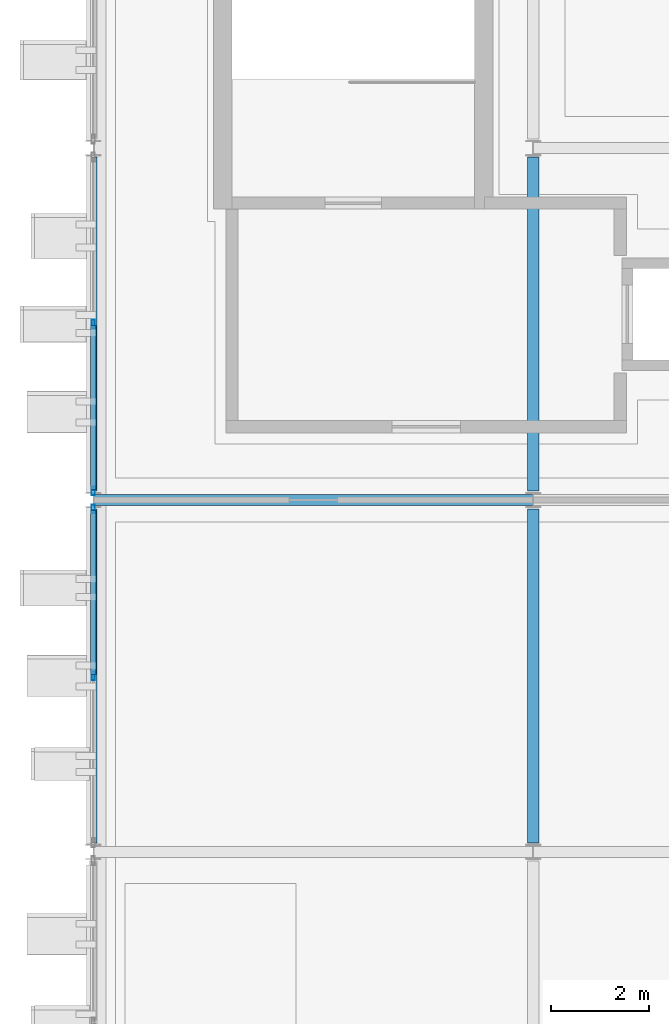
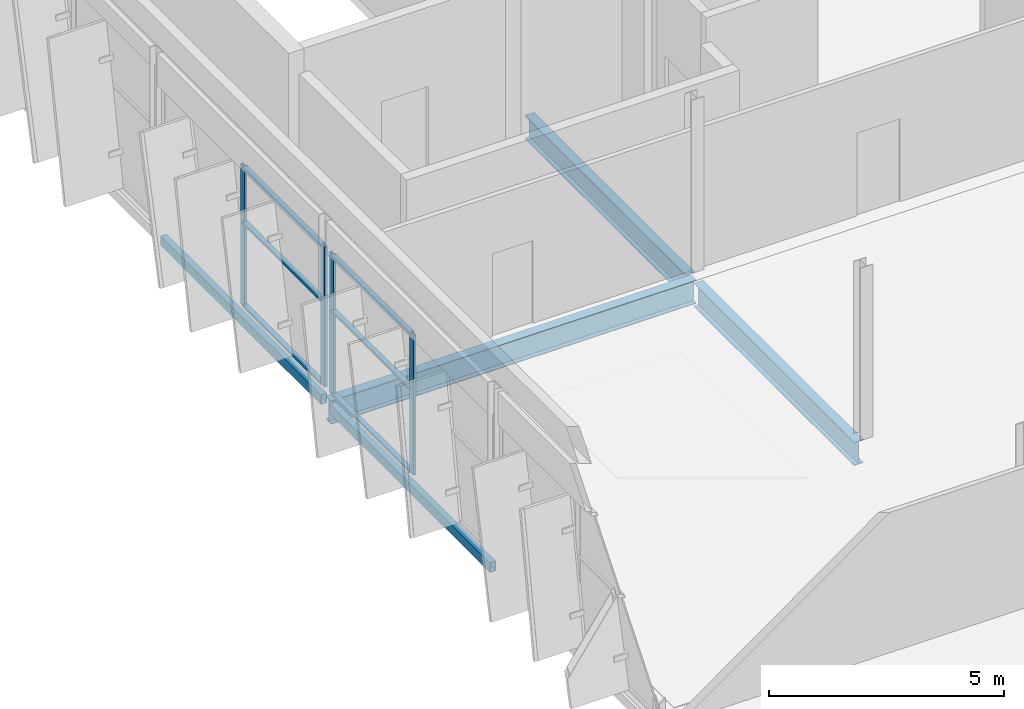
# One storey, part 22 of 52: 10 members, 5 beams, 2 elements without a shape of their own.
"""IFC4 building model written with IfcOpenShell, lengths in metres."""

from ifc_helpers import new_model, si_unit, direction, frame, origin, origin_2d, place, context, subcontext, project, spatial, hollow_rectangle, i_section, extrude, material, layer, layer_set, material_profile, profile_set, type_object, element, aggregate, save


model = new_model("IFC4")

# Units and contexts
model_context = context("Model", 3, precision=1e-05, world=origin(), true_north=direction((0.0, 1.0)))
body_context = subcontext(model_context, "Body", "Model", "MODEL_VIEW")
ifc_project = project(units=[si_unit("LENGTHUNIT", "METRE"), si_unit("AREAUNIT", "SQUARE_METRE"), si_unit("VOLUMEUNIT", "CUBIC_METRE"), si_unit("PLANEANGLEUNIT", "RADIAN"), si_unit("MASSUNIT", "GRAM", prefix="KILO")], contexts=[model_context])

# Site, building, storey
site_placement = place(None, origin())
site = spatial("IfcSite", under=ifc_project, at=site_placement, CompositionType="ELEMENT")
building_placement = place(site_placement, origin())
building = spatial("IfcBuilding", under=site, at=building_placement, Name="Celestram Park Convention Centre", CompositionType="ELEMENT")
storey_placement = place(building_placement, frame((0.0, 0.0, 24.300048828125)))
storey = spatial("IfcBuildingStorey", under=building, at=storey_placement, Name="L05", CompositionType="ELEMENT", Elevation=24.300048828125)

# Curtain wall, members
ifc_material_1 = material(Name="Anodised Aluminium Alloy 6063-T6", Category="aluminium")
ifc_layer = layer(ifc_material_1, 0.179931640625)
ifc_layer_set = layer_set([ifc_layer], Name="Anodised Aluminium Alloy 6063-T6")
curtain_wall_type = type_object("IfcCurtainWallType", Name="ARC-CW-690X365", PredefinedType="NOTDEFINED", material=ifc_layer_set)
curtain_wall_1_placement = place(storey_placement, origin())
curtain_wall_1 = element("IfcCurtainWall", 1, at=curtain_wall_1_placement, inside=storey, type_object=curtain_wall_type, Name="Unitised curtain wall CU-L05-247", PredefinedType="NOTDEFINED")
ifc_material_profile_1 = material_profile(ifc_material_1, hollow_rectangle(XDim=0.06494140625, YDim=0.179931640625, WallThickness=0.00390625, at=origin_2d()), Name="ALU65X180X4")
ifc_profile_set_1 = profile_set([ifc_material_profile_1], Name="Anodised Aluminium Alloy 6063-T6")
member_type_1 = type_object("IfcMemberType", Name="ARC-CWM-150", PredefinedType="MULLION", material=ifc_profile_set_1)
member_1_placement = place(storey_placement, frame((36.0, 140.39990234375, 0.0), z_axis=(0.0, 0.0, 1.0), x_axis=(-1.0, 0.0, 0.0)))
member_1 = element("IfcMember", 2, at=member_1_placement, type_object=member_type_1, Name="CW-69X36 mullion 2", PredefinedType="MULLION", context=body_context, shape_type="SweptSolid", body=[
    extrude(hollow_rectangle(XDim=0.06494140625, YDim=0.179931640625, WallThickness=0.00390625, at=origin_2d()), origin(), (0.0, 0.0, 1.0), 3.64794921875),
])
member_2_placement = place(storey_placement, frame((36.0, 143.81591796875, 0.0), z_axis=(0.0, 0.0, 1.0), x_axis=(-1.0, 0.0, 0.0)))
member_2 = element("IfcMember", 3, at=member_2_placement, type_object=member_type_1, Name="CW-69X36 mullion 3", PredefinedType="MULLION", context=body_context, shape_type="SweptSolid", body=[
    extrude(hollow_rectangle(XDim=0.06494140625, YDim=0.179931640625, WallThickness=0.00390625, at=origin_2d()), origin(), (0.0, 0.0, 1.0), 3.64794921875),
])

curtain_wall_2_placement = place(storey_placement, origin())
curtain_wall_2 = element("IfcCurtainWall", 4, at=curtain_wall_2_placement, inside=storey, type_object=curtain_wall_type, Name="Unitised curtain wall CU-L05-248", PredefinedType="NOTDEFINED")
member_3_placement = place(storey_placement, frame((36.0, 144.18408203125, 0.0), z_axis=(0.0, 0.0, 1.0), x_axis=(-1.0, 0.0, 0.0)))
member_3 = element("IfcMember", 5, at=member_3_placement, type_object=member_type_1, Name="CW-69X36 mullion 1", PredefinedType="MULLION", context=body_context, shape_type="SweptSolid", body=[
    extrude(hollow_rectangle(XDim=0.06494140625, YDim=0.179931640625, WallThickness=0.00390625, at=origin_2d()), origin(), (0.0, 0.0, 1.0), 3.64794921875),
])
member_4_placement = place(storey_placement, frame((36.0, 147.60009765625, 0.0), z_axis=(0.0, 0.0, 1.0), x_axis=(-1.0, 0.0, 0.0)))
member_4 = element("IfcMember", 6, at=member_4_placement, type_object=member_type_1, Name="CW-69X36 mullion 2", PredefinedType="MULLION", context=body_context, shape_type="SweptSolid", body=[
    extrude(hollow_rectangle(XDim=0.06494140625, YDim=0.179931640625, WallThickness=0.00390625, at=origin_2d()), origin(), (0.0, 0.0, 1.0), 3.64794921875),
])

# Member
ifc_material_profile_2 = material_profile(ifc_material_1, hollow_rectangle(XDim=0.1201171875, YDim=0.06005859375, WallThickness=0.0029296875, at=origin_2d()), Name="ALU120X60X3")
ifc_profile_set_2 = profile_set([ifc_material_profile_2], Name="Anodised Aluminium Alloy 6063-T6")
member_type_2 = type_object("IfcMemberType", Name="ARC-CWT-120", PredefinedType="USERDEFINED", material=ifc_profile_set_2)
member_5_placement = place(storey_placement, frame((36.0, 140.4326171875, 0.030029296875), z_axis=(0.0, 1.0, 0.0), x_axis=(-1.0, 0.0, 0.0)))
member_5 = element("IfcMember", 7, at=member_5_placement, type_object=member_type_2, Name="CW-69X36 transom 2.1", ObjectType="TRANSOM", PredefinedType="USERDEFINED", context=body_context, shape_type="SweptSolid", body=[
    extrude(hollow_rectangle(XDim=0.1201171875, YDim=0.06005859375, WallThickness=0.0029296875, at=origin_2d()), origin(), (0.0, 0.0, 1.0), 3.350830078125),
])

member_6_placement = place(storey_placement, frame((36.0, 140.4326171875, 2.18896484375), z_axis=(0.0, 1.0, 0.0), x_axis=(-1.0, 0.0, 0.0)))
member_6 = element("IfcMember", 8, at=member_6_placement, type_object=member_type_2, Name="CW-69X36 transom 2.2", ObjectType="TRANSOM", PredefinedType="USERDEFINED", context=body_context, shape_type="SweptSolid", body=[
    extrude(hollow_rectangle(XDim=0.1201171875, YDim=0.06005859375, WallThickness=0.0029296875, at=origin_2d()), origin(), (0.0, 0.0, 1.0), 3.350830078125),
])

member_7_placement = place(storey_placement, frame((36.0, 140.4326171875, 3.617919921875), z_axis=(0.0, 1.0, 0.0), x_axis=(-1.0, 0.0, 0.0)))
member_7 = element("IfcMember", 9, at=member_7_placement, type_object=member_type_2, Name="CW-69X36 transom 2.3", ObjectType="TRANSOM", PredefinedType="USERDEFINED", context=body_context, shape_type="SweptSolid", body=[
    extrude(hollow_rectangle(XDim=0.1201171875, YDim=0.06005859375, WallThickness=0.0029296875, at=origin_2d()), origin(), (0.0, 0.0, 1.0), 3.350830078125),
])

aggregate(curtain_wall_1, [member_1, member_2, member_5, member_6, member_7])

member_8_placement = place(storey_placement, frame((36.0, 144.216552734375, 0.030029296875), z_axis=(0.0, 1.0, 0.0), x_axis=(-1.0, 0.0, 0.0)))
member_8 = element("IfcMember", 10, at=member_8_placement, type_object=member_type_2, Name="CW-69X36 transom 1.1", ObjectType="TRANSOM", PredefinedType="USERDEFINED", context=body_context, shape_type="SweptSolid", body=[
    extrude(hollow_rectangle(XDim=0.1201171875, YDim=0.06005859375, WallThickness=0.0029296875, at=origin_2d()), origin(), (0.0, 0.0, 1.0), 3.350830078125),
])

member_9_placement = place(storey_placement, frame((36.0, 144.216552734375, 2.18896484375), z_axis=(0.0, 1.0, 0.0), x_axis=(-1.0, 0.0, 0.0)))
member_9 = element("IfcMember", 11, at=member_9_placement, type_object=member_type_2, Name="CW-69X36 transom 1.2", ObjectType="TRANSOM", PredefinedType="USERDEFINED", context=body_context, shape_type="SweptSolid", body=[
    extrude(hollow_rectangle(XDim=0.1201171875, YDim=0.06005859375, WallThickness=0.0029296875, at=origin_2d()), origin(), (0.0, 0.0, 1.0), 3.350830078125),
])

member_10_placement = place(storey_placement, frame((36.0, 144.216552734375, 3.617919921875), z_axis=(0.0, 1.0, 0.0), x_axis=(-1.0, 0.0, 0.0)))
member_10 = element("IfcMember", 12, at=member_10_placement, type_object=member_type_2, Name="CW-69X36 transom 1.3", ObjectType="TRANSOM", PredefinedType="USERDEFINED", context=body_context, shape_type="SweptSolid", body=[
    extrude(hollow_rectangle(XDim=0.1201171875, YDim=0.06005859375, WallThickness=0.0029296875, at=origin_2d()), origin(), (0.0, 0.0, 1.0), 3.350830078125),
])

aggregate(curtain_wall_2, [member_3, member_4, member_8, member_9, member_10])

# Beams
ifc_material_2 = material(Name="Steel ASTM A992 Grade 50", Category="steel")
ifc_material_profile_3 = material_profile(ifc_material_2, i_section(OverallWidth=0.22900390625, OverallDepth=0.612060546875, WebThickness=0.011962890625, FlangeThickness=0.01953125, at=origin_2d()), Name="W24X84")
ifc_profile_set_3 = profile_set([ifc_material_profile_3], Name="Steel ASTM A992 Grade 50")
beam_type_1 = type_object("IfcBeamType", Name="STR-BM-W24X84", PredefinedType="BEAM", material=ifc_profile_set_3)
beam_placement = place(storey_placement, frame((36.006103515625, 144.0, -0.546142578125), z_axis=(1.0, 0.0, 0.0), x_axis=(0.0, 1.0, 0.0)))
element("IfcBeam", 13, at=beam_placement, inside=storey, type_object=beam_type_1, Name="Primary X-girder BG-L05-0010", PredefinedType="BEAM", context=body_context, shape_type="SweptSolid", body=[
    extrude(i_section(OverallWidth=0.22900390625, OverallDepth=0.612060546875, WebThickness=0.011962890625, FlangeThickness=0.01953125, at=origin_2d()), origin(), (0.0, 0.0, 1.0), 8.98779296875),
])
for number, where, z_axis, x_axis, name in (
    (14, (45.0, 136.984619140625, -0.546142578125), (0.0, 1.0, 0.0), (-1.0, 0.0, 0.0), "Primary Y-girder BG-L05-0023"),
    (15, (45.0, 144.1845703125, -0.546142578125), (0.0, 1.0, 0.0), (-1.0, 0.0, 0.0), "Primary Y-girder BG-L05-0025"),
):
    element("IfcBeam", number, at=place(storey_placement, frame(where, z_axis=z_axis, x_axis=x_axis)), inside=storey, type_object=beam_type_1, Name=name, PredefinedType="BEAM", context=body_context, shape_type="SweptSolid", body=[
        extrude(i_section(OverallWidth=0.22900390625, OverallDepth=0.612060546875, WebThickness=0.011962890625, FlangeThickness=0.01953125, at=origin_2d()), origin(), (0.0, 0.0, 1.0), 6.830810546875),
    ])
ifc_material_3 = material(Name="Steel ASTM A500 Grade C", Category="steel")
ifc_material_profile_4 = material_profile(ifc_material_3, hollow_rectangle(XDim=0.14990234375, YDim=0.25, WallThickness=0.010009765625, at=origin_2d()), Name="HSS250X150X10")
ifc_profile_set_4 = profile_set([ifc_material_profile_4], Name="Steel ASTM A500 Grade C")
beam_type_2 = type_object("IfcBeamType", Name="STR-SPN-HSS250X150", PredefinedType="SPANDREL", material=ifc_profile_set_4)
for number, where, z_axis, x_axis, name in (
    (16, (36.0, 136.984619140625, -0.364990234375), (0.0, 1.0, 0.0), (-1.0, 0.0, 0.0), "Primary Y-girder BG-L05-0009"),
    (17, (36.0, 144.1845703125, -0.364990234375), (0.0, 1.0, 0.0), (-1.0, 0.0, 0.0), "Primary Y-girder BG-L05-0011"),
):
    element("IfcBeam", number, at=place(storey_placement, frame(where, z_axis=z_axis, x_axis=x_axis)), inside=storey, type_object=beam_type_2, Name=name, PredefinedType="SPANDREL", context=body_context, shape_type="SweptSolid", body=[
        extrude(hollow_rectangle(XDim=0.14990234375, YDim=0.25, WallThickness=0.010009765625, at=origin_2d()), origin(), (0.0, 0.0, 1.0), 6.830810546875),
    ])

save(model, "model.ifc")
